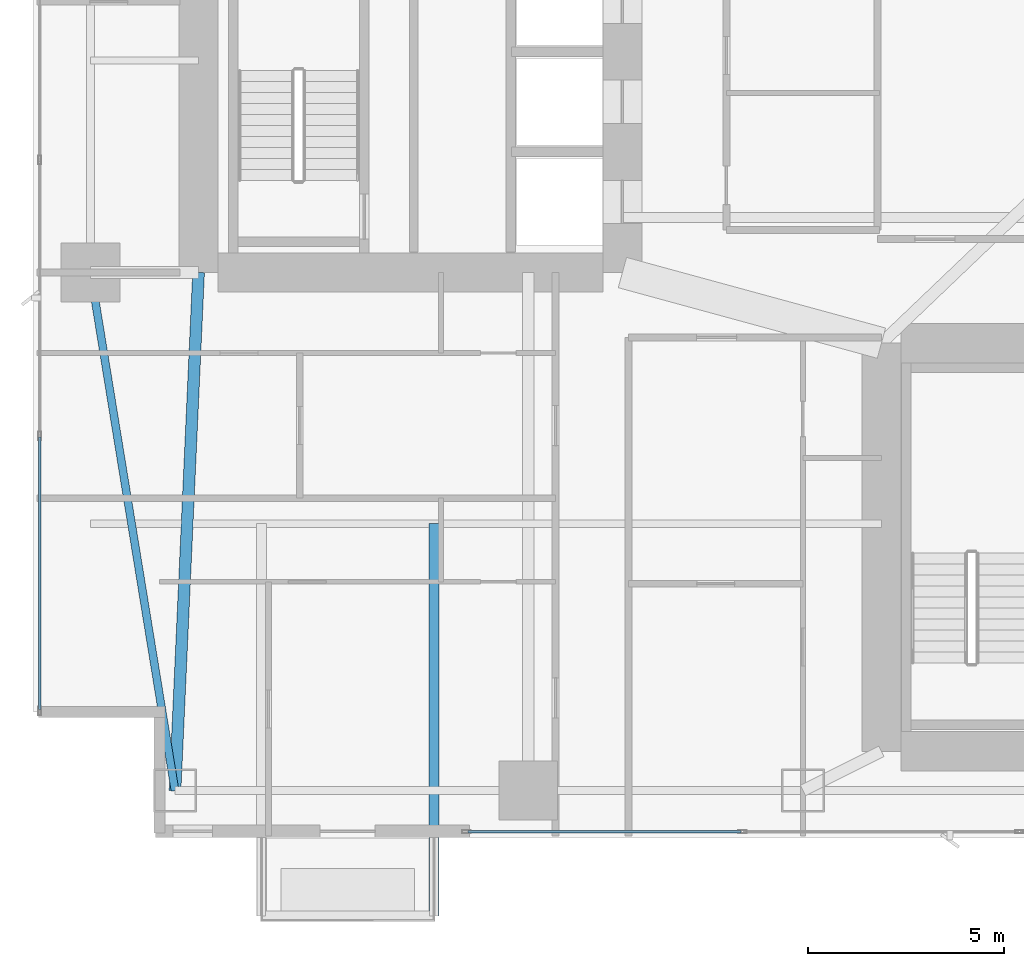
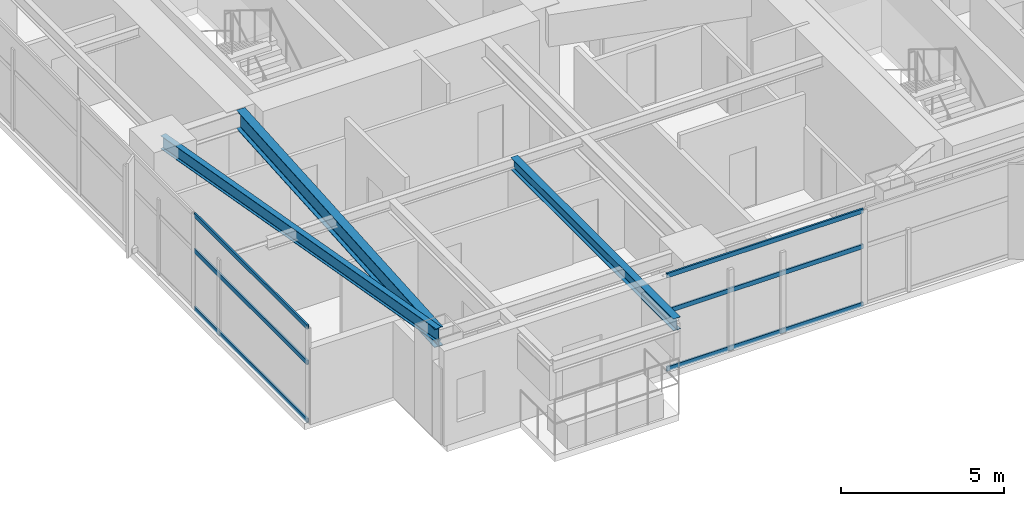
# One storey, part 3 of 29: 6 members, 3 beams, 2 elements without a shape of their own.
"""IFC4 building model written with IfcOpenShell, lengths in metres."""

from ifc_helpers import new_model, si_unit, direction, frame, origin, origin_2d, place, context, subcontext, project, spatial, hollow_rectangle, i_section, extrude, material, layer, layer_set, material_profile, profile_set, type_object, element, aggregate, save


model = new_model("IFC4")

# Units and contexts
model_context = context("Model", 3, precision=1e-05, world=origin(), true_north=direction((0.0, 1.0)))
body_context = subcontext(model_context, "Body", "Model", "MODEL_VIEW")
ifc_project = project(units=[si_unit("LENGTHUNIT", "METRE"), si_unit("AREAUNIT", "SQUARE_METRE"), si_unit("VOLUMEUNIT", "CUBIC_METRE"), si_unit("PLANEANGLEUNIT", "RADIAN"), si_unit("MASSUNIT", "GRAM", prefix="KILO")], contexts=[model_context])

# Site, building, storey
site_placement = place(None, origin())
site = spatial("IfcSite", under=ifc_project, at=site_placement, CompositionType="ELEMENT")
building_placement = place(site_placement, origin())
building = spatial("IfcBuilding", under=site, at=building_placement, Name="Calvorn Quay Hotel", CompositionType="ELEMENT")
storey_placement = place(building_placement, frame((0.0, 0.0, 81.199951171875)))
storey = spatial("IfcBuildingStorey", under=building, at=storey_placement, Name="L19", CompositionType="ELEMENT", Elevation=81.199951171875)

# Beams
ifc_material_1 = material(Name="Steel Q355B", Category="steel")
ifc_material_profile_1 = material_profile(ifc_material_1, i_section(OverallWidth=0.25, OverallDepth=0.449951171875, WebThickness=0.011962890625, FlangeThickness=0.01611328125, FilletRadius=0.01611328125, at=origin_2d()), Name="HN450x250x12x16")
ifc_profile_set_1 = profile_set([ifc_material_profile_1], Name="Steel Q355B")
beam_type_1 = type_object("IfcBeamType", Name="BM-CANT-BALC", PredefinedType="BEAM", material=ifc_profile_set_1)
beam_1_placement = place(storey_placement, frame((10.199951171875, 10.39990234375, 3.31494140625), z_axis=(0.0, -1.0, 0.0), x_axis=(1.0, 0.0, 0.0)))
element("IfcBeam", 1, at=beam_1_placement, inside=storey, type_object=beam_type_1, Name="Cantilever Balcony Beam BCB-L20-2B", PredefinedType="BEAM", context=body_context, shape_type="SweptSolid", body=[
    extrude(i_section(OverallWidth=0.25, OverallDepth=0.449951171875, WebThickness=0.011962890625, FlangeThickness=0.01611328125, FilletRadius=0.01611328125, at=origin_2d()), origin(), (0.0, 0.0, 1.0), 9.989990234375),
])
ifc_material_2 = material(Name="Steel Q390GJC", Category="steel")
ifc_material_profile_2 = material_profile(ifc_material_2, i_section(OverallWidth=0.300048828125, OverallDepth=0.699951171875, WebThickness=0.012939453125, FlangeThickness=0.02392578125, FilletRadius=0.02392578125, at=origin_2d()), Name="HN700x300x13x24")
ifc_profile_set_2 = profile_set([ifc_material_profile_2], Name="Steel Q390GJC")
beam_type_2 = type_object("IfcBeamType", Name="BM-GIRD-MAIN", PredefinedType="BEAM", material=ifc_profile_set_2)
beam_2_placement = place(storey_placement, frame((3.60009765625, 3.60009765625, 3.18994140625), z_axis=(0.045396765494, 0.998969035397, 0.0), x_axis=(-0.998969035397, 0.045396765494, 0.0)))
element("IfcBeam", 2, at=beam_2_placement, inside=storey, type_object=beam_type_2, Name="Beam BG-L19-W0", PredefinedType="BEAM", context=body_context, shape_type="SweptSolid", body=[
    extrude(i_section(OverallWidth=0.300048828125, OverallDepth=0.699951171875, WebThickness=0.012939453125, FlangeThickness=0.02392578125, FilletRadius=0.02392578125, at=origin_2d()), origin(), (0.0, 0.0, 1.0), 13.213623046875),
])
ifc_material_3 = material(Name="Steel Q355B", Category="steel")
ifc_material_profile_3 = material_profile(ifc_material_3, i_section(OverallWidth=0.199951171875, OverallDepth=0.5, WebThickness=0.010009765625, FlangeThickness=0.01611328125, FilletRadius=0.01611328125, at=origin_2d()), Name="HN500x200x10x16")
ifc_profile_set_3 = profile_set([ifc_material_profile_3], Name="Steel Q355B")
beam_type_3 = type_object("IfcBeamType", Name="BM-SPANDREL-Z1", PredefinedType="SPANDREL", material=ifc_profile_set_3)
beam_3_placement = place(storey_placement, frame((3.60009765625, 3.60009765625, 3.2900390625), z_axis=(-0.16077155054, 0.986991645627, 0.0), x_axis=(-0.986991645627, -0.16077155054, 0.0)))
element("IfcBeam", 3, at=beam_3_placement, inside=storey, type_object=beam_type_3, Name="Beam BSP-L19-W1", PredefinedType="SPANDREL", context=body_context, shape_type="SweptSolid", body=[
    extrude(i_section(OverallWidth=0.199951171875, OverallDepth=0.5, WebThickness=0.010009765625, FlangeThickness=0.01611328125, FilletRadius=0.01611328125, at=origin_2d()), origin(), (0.0, 0.0, 1.0), 13.3740234375),
])

# Curtain wall, members
ifc_material_4 = material(Name="Pale Anodised Aluminium and Low-E Glass", Category="aluminium")
ifc_layer = layer(ifc_material_4, 0.219970703125)
ifc_layer_set = layer_set([ifc_layer], Name="CW-SYS-Z1")
curtain_wall_type = type_object("IfcCurtainWallType", Name="CW-SYS-Z1", PredefinedType="NOTDEFINED", material=ifc_layer_set)
curtain_wall_1_placement = place(storey_placement, origin())
curtain_wall_1 = element("IfcCurtainWall", 4, at=curtain_wall_1_placement, inside=storey, type_object=curtain_wall_type, Name="Tower West Curtain Wall (L19)", PredefinedType="NOTDEFINED")
ifc_material_5 = material(Name="Pale Anodised Aluminium 6063-T6", Category="aluminium")
ifc_material_profile_4 = material_profile(ifc_material_5, hollow_rectangle(XDim=0.06494140625, YDim=0.1650390625, WallThickness=0.00341796875, at=origin_2d()), Name="ALU-T165x65x3.5")
ifc_profile_set_4 = profile_set([ifc_material_profile_4], Name="Pale Anodised Aluminium 6063-T6")
member_type = type_object("IfcMemberType", Name="CW-SYS-Z1-TRN", PredefinedType="USERDEFINED", material=ifc_profile_set_4)
member_1_placement = place(storey_placement, frame((0.14990234375, 5.659912109375, 0.030029296875), z_axis=(0.0, 1.0, 0.0), x_axis=(-1.0, 0.0, 0.0)))
member_1 = element("IfcMember", 5, at=member_1_placement, type_object=member_type, Name="CW-L19-W transom 1.1", ObjectType="TRANSOM", PredefinedType="USERDEFINED", context=body_context, shape_type="SweptSolid", body=[
    extrude(hollow_rectangle(XDim=0.06494140625, YDim=0.1650390625, WallThickness=0.00341796875, at=origin_2d()), origin(), (0.0, 0.0, 1.0), 6.943359375),
])
member_2_placement = place(storey_placement, frame((0.14990234375, 5.659912109375, 2.199951171875), z_axis=(0.0, 1.0, 0.0), x_axis=(-1.0, 0.0, 0.0)))
member_2 = element("IfcMember", 6, at=member_2_placement, type_object=member_type, Name="CW-L19-W transom 1.2", ObjectType="TRANSOM", PredefinedType="USERDEFINED", context=body_context, shape_type="SweptSolid", body=[
    extrude(hollow_rectangle(XDim=0.06494140625, YDim=0.1650390625, WallThickness=0.00341796875, at=origin_2d()), origin(), (0.0, 0.0, 1.0), 6.943359375),
])
member_3_placement = place(storey_placement, frame((0.14990234375, 5.659912109375, 3.530029296875), z_axis=(0.0, 1.0, 0.0), x_axis=(-1.0, 0.0, 0.0)))
member_3 = element("IfcMember", 7, at=member_3_placement, type_object=member_type, Name="CW-L19-W transom 1.3", ObjectType="TRANSOM", PredefinedType="USERDEFINED", context=body_context, shape_type="SweptSolid", body=[
    extrude(hollow_rectangle(XDim=0.06494140625, YDim=0.1650390625, WallThickness=0.00341796875, at=origin_2d()), origin(), (0.0, 0.0, 1.0), 6.943359375),
])
aggregate(curtain_wall_1, [member_1, member_2, member_3])

curtain_wall_2_placement = place(storey_placement, origin())
curtain_wall_2 = element("IfcCurtainWall", 8, at=curtain_wall_2_placement, inside=storey, type_object=curtain_wall_type, Name="Tower South Waterfront Curtain Wall (L19)", PredefinedType="NOTDEFINED")
member_4_placement = place(storey_placement, frame((11.06005859375, 2.550048828125, 0.030029296875), z_axis=(1.0, 0.0, 0.0), x_axis=(0.0, 1.0, 0.0)))
member_4 = element("IfcMember", 9, at=member_4_placement, type_object=member_type, Name="CW-L19-S transom 1.1", ObjectType="TRANSOM", PredefinedType="USERDEFINED", context=body_context, shape_type="SweptSolid", body=[
    extrude(hollow_rectangle(XDim=0.06494140625, YDim=0.1650390625, WallThickness=0.00341796875, at=origin_2d()), origin(), (0.0, 0.0, 1.0), 6.967041015625),
])
member_5_placement = place(storey_placement, frame((11.06005859375, 2.550048828125, 2.199951171875), z_axis=(1.0, 0.0, 0.0), x_axis=(0.0, 1.0, 0.0)))
member_5 = element("IfcMember", 10, at=member_5_placement, type_object=member_type, Name="CW-L19-S transom 1.2", ObjectType="TRANSOM", PredefinedType="USERDEFINED", context=body_context, shape_type="SweptSolid", body=[
    extrude(hollow_rectangle(XDim=0.06494140625, YDim=0.1650390625, WallThickness=0.00341796875, at=origin_2d()), origin(), (0.0, 0.0, 1.0), 6.967041015625),
])
member_6_placement = place(storey_placement, frame((11.06005859375, 2.550048828125, 3.530029296875), z_axis=(1.0, 0.0, 0.0), x_axis=(0.0, 1.0, 0.0)))
member_6 = element("IfcMember", 11, at=member_6_placement, type_object=member_type, Name="CW-L19-S transom 1.3", ObjectType="TRANSOM", PredefinedType="USERDEFINED", context=body_context, shape_type="SweptSolid", body=[
    extrude(hollow_rectangle(XDim=0.06494140625, YDim=0.1650390625, WallThickness=0.00341796875, at=origin_2d()), origin(), (0.0, 0.0, 1.0), 6.967041015625),
])
aggregate(curtain_wall_2, [member_4, member_5, member_6])

save(model, "model.ifc")
